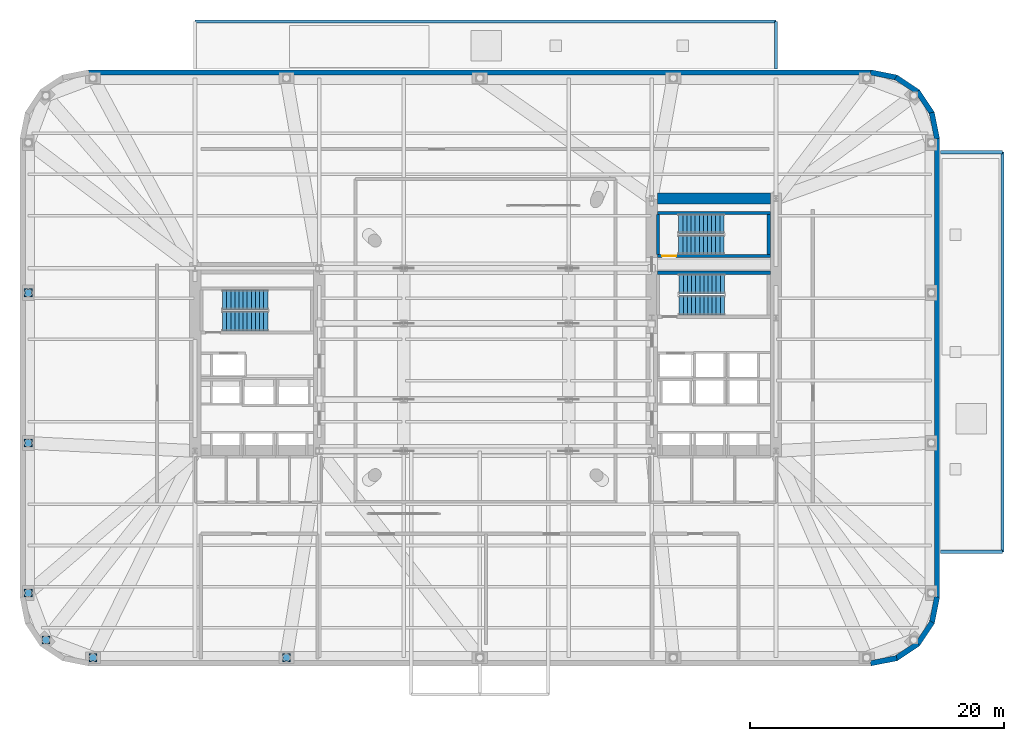
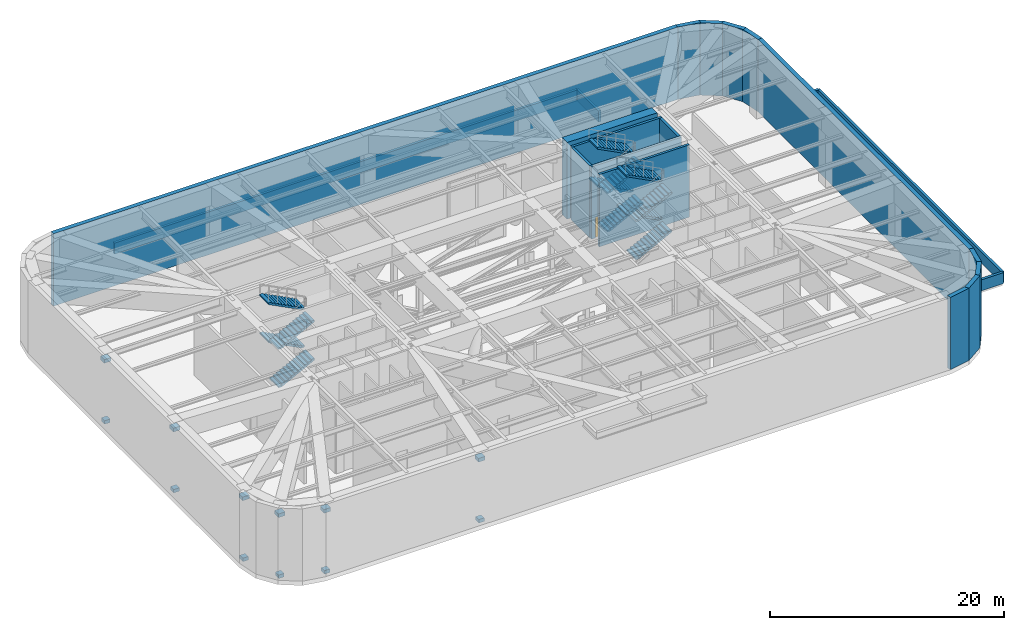
# One storey, part 10 of 15: 21 walls, 12 discrete accessories, 12 stair flights, 1 door, 1 opening, 3 elements without a shape of their own.
"""IFC4 building model written with IfcOpenShell, lengths in metres."""

from ifc_helpers import new_model, si_unit, direction, frame, frame_2d, origin, origin_2d, place, context, subcontext, project, spatial, polyline, rectangle, outline, extrude, material, layer, layer_set, type_object, element, fill, aggregate, save


model = new_model("IFC4")

# Units and contexts
model_context = context("Model", 3, precision=1e-05, world=origin(), true_north=direction((0.0, 1.0)))
body_context = subcontext(model_context, "Body", "Model", "MODEL_VIEW")
ifc_project = project(units=[si_unit("LENGTHUNIT", "METRE"), si_unit("AREAUNIT", "SQUARE_METRE"), si_unit("VOLUMEUNIT", "CUBIC_METRE"), si_unit("PLANEANGLEUNIT", "RADIAN"), si_unit("MASSUNIT", "GRAM", prefix="KILO")], contexts=[model_context])

# Site, building, storey
site_placement = place(None, origin())
site = spatial("IfcSite", under=ifc_project, at=site_placement, CompositionType="ELEMENT")
building_placement = place(site_placement, origin())
building = spatial("IfcBuilding", under=site, at=building_placement, Name="Kolvaren Arena Tower", CompositionType="ELEMENT")
storey_placement = place(building_placement, frame((0.0, 0.0, 34.0)))
storey = spatial("IfcBuildingStorey", under=building, at=storey_placement, Name="L06", CompositionType="ELEMENT", Elevation=34.0)

# Walls
ifc_material_1 = material(Name="Concrete 80 MPa", Category="concrete")
ifc_layer_1 = layer(ifc_material_1, 0.89990234375)
ifc_layer_set_1 = layer_set([ifc_layer_1], Name="Concrete 80 MPa")
wall_type_1 = type_object("IfcWallType", Name="CWALL-900", PredefinedType="SHEAR", material=ifc_layer_set_1)
wall_1_placement = place(storey_placement, frame((51.0, 39.35009765625, -0.449951171875), z_axis=(0.0, 0.0, 1.0), x_axis=(1.0, 0.0, 0.0)))
element("IfcWall", 1, at=wall_1_placement, inside=storey, type_object=wall_type_1, Name="Core Shear Wall EC-NORTH (L06)", PredefinedType="SHEAR", context=body_context, shape_type="SweptSolid", body=[
    extrude(rectangle(XDim=8.89990234375, YDim=0.89990234375, at=frame_2d((4.449951171875, 0.0))), origin(), (0.0, 0.0, 1.0), 8.0),
])
ifc_material_2 = material(Name="Precast concrete C50/60", Category="concrete")
ifc_layer_2 = layer(ifc_material_2, 0.419921875)
ifc_layer_set_2 = layer_set([ifc_layer_2], Name="Precast concrete C50/60")
wall_type_2 = type_object("IfcWallType", Name="EXT-PIER1", PredefinedType="SOLIDWALL", material=ifc_layer_set_2)
for number, where, z_axis, x_axis, name in (
    (2, (69.87548828125, 3.1171875, 0.0), (0.0, 0.0, 1.0), (-0.9807762837, -0.195135546048, 0.0), "Exterior Precast Masonry-Frame Wall (L06)"),
    (3, (71.5517578125, 4.256103515625, 0.0), (0.0, 0.0, 1.0), (-0.831515102434, -0.555502146192, 0.0), "Exterior Precast Masonry-Frame Wall (L06)"),
    (4, (72.664306640625, 5.9501953125, 0.0), (0.0, 0.0, 1.0), (-0.555502146192, -0.831515102434, 0.0), "Exterior Precast Masonry-Frame Wall (L06)"),
    (5, (73.0439453125, 7.94091796875, 0.0), (0.0, 0.0, 1.0), (-0.195135546048, -0.9807762837, 0.0), "Exterior Precast Masonry-Frame Wall (L06)"),
):
    element("IfcWall", number, at=place(storey_placement, frame(where, z_axis=z_axis, x_axis=x_axis)), inside=storey, type_object=wall_type_2, Name=name, PredefinedType="SOLIDWALL", context=body_context, shape_type="SweptSolid", body=[
        extrude(rectangle(XDim=2.10693359375, YDim=0.419921875, at=frame_2d((1.053466796875, 0.0))), origin(), (0.0, 0.0, 1.0), 7.550048828125),
    ])
wall_2_placement = place(storey_placement, frame((73.0400390625, 44.10009765625, 0.0), z_axis=(0.0, 0.0, 1.0), x_axis=(0.0, -1.0, 0.0)))
element("IfcWall", 6, at=wall_2_placement, inside=storey, type_object=wall_type_2, Name="Exterior Precast Masonry-Frame Wall (L06)", PredefinedType="SOLIDWALL", context=body_context, shape_type="SweptSolid", body=[
    extrude(rectangle(XDim=36.2001953125, YDim=0.419921875, at=frame_2d((18.10009765625, 0.0))), origin(), (0.0, 0.0, 1.0), 7.550048828125),
])
for number, where, z_axis, x_axis, name in (
    (7, (72.6328125, 46.12548828125, 0.0), (0.0, 0.0, 1.0), (0.195135546048, -0.9807762837, 0.0), "Exterior Precast Masonry-Frame Wall (L06)"),
    (8, (71.493896484375, 47.8017578125, 0.0), (0.0, 0.0, 1.0), (0.555502146192, -0.831515102434, 0.0), "Exterior Precast Masonry-Frame Wall (L06)"),
    (9, (69.7998046875, 48.914306640625, 0.0), (0.0, 0.0, 1.0), (0.831515102434, -0.555502146192, 0.0), "Exterior Precast Masonry-Frame Wall (L06)"),
    (10, (67.80908203125, 49.2939453125, 0.0), (0.0, 0.0, 1.0), (0.9807762837, -0.195135546048, 0.0), "Exterior Precast Masonry-Frame Wall (L06)"),
):
    element("IfcWall", number, at=place(storey_placement, frame(where, z_axis=z_axis, x_axis=x_axis)), inside=storey, type_object=wall_type_2, Name=name, PredefinedType="SOLIDWALL", context=body_context, shape_type="SweptSolid", body=[
        extrude(rectangle(XDim=2.10693359375, YDim=0.419921875, at=frame_2d((1.053466796875, 0.0))), origin(), (0.0, 0.0, 1.0), 7.550048828125),
    ])
wall_3_placement = place(storey_placement, frame((6.14990234375, 49.2900390625, 0.0), z_axis=(0.0, 0.0, 1.0), x_axis=(1.0, 0.0, 0.0)))
element("IfcWall", 11, at=wall_3_placement, inside=storey, type_object=wall_type_2, Name="Exterior Precast Masonry-Frame Wall (L06)", PredefinedType="SOLIDWALL", context=body_context, shape_type="SweptSolid", body=[
    extrude(rectangle(XDim=61.7001953125, YDim=0.419921875, at=frame_2d((30.85009765625, 0.0))), origin(), (0.0, 0.0, 1.0), 7.550048828125),
])
ifc_material_3 = material(Name="Precast concrete C45/55", Category="concrete")
ifc_layer_3 = layer(ifc_material_3, 0.25)
ifc_layer_set_3 = layer_set([ifc_layer_3], Name="Precast concrete C45/55")
wall_type_3 = type_object("IfcWallType", Name="PARAP-250", PredefinedType="PARAPET", material=ifc_layer_set_3)
wall_4_placement = place(storey_placement, frame((73.300048828125, 11.5, 0.0), z_axis=(0.0, 0.0, 1.0), x_axis=(1.0, 0.0, 0.0)))
element("IfcWall", 12, at=wall_4_placement, inside=storey, type_object=wall_type_3, Name="Podium Low-Roof Maintenance Parapet (East 1)", PredefinedType="PARAPET", context=body_context, shape_type="SweptSolid", body=[
    extrude(rectangle(XDim=4.89990234375, YDim=0.25, at=frame_2d((2.449951171875, 0.0))), origin(), (0.0, 0.0, 1.0), 1.14990234375),
])
wall_5_placement = place(storey_placement, frame((78.199951171875, 11.5, 0.0), z_axis=(0.0, 0.0, 1.0), x_axis=(0.0, 1.0, 0.0)))
element("IfcWall", 13, at=wall_5_placement, inside=storey, type_object=wall_type_3, Name="Podium Low-Roof Maintenance Parapet (East 2)", PredefinedType="PARAPET", context=body_context, shape_type="SweptSolid", body=[
    extrude(rectangle(XDim=31.5, YDim=0.25, at=frame_2d((15.75, 0.0))), origin(), (0.0, 0.0, 1.0), 1.14990234375),
])
wall_6_placement = place(storey_placement, frame((78.199951171875, 43.0, 0.0), z_axis=(0.0, 0.0, 1.0), x_axis=(-1.0, 0.0, 0.0)))
element("IfcWall", 14, at=wall_6_placement, inside=storey, type_object=wall_type_3, Name="Podium Low-Roof Maintenance Parapet (East 3)", PredefinedType="PARAPET", context=body_context, shape_type="SweptSolid", body=[
    extrude(rectangle(XDim=4.89990234375, YDim=0.25, at=frame_2d((2.449951171875, 0.0))), origin(), (0.0, 0.0, 1.0), 1.14990234375),
])
wall_7_placement = place(storey_placement, frame((14.550048828125, 53.300048828125, 0.0), z_axis=(0.0, 0.0, 1.0), x_axis=(1.0, 0.0, 0.0)))
element("IfcWall", 15, at=wall_7_placement, inside=storey, type_object=wall_type_3, Name="Podium Low-Roof Maintenance Parapet (North 2)", PredefinedType="PARAPET", context=body_context, shape_type="SweptSolid", body=[
    extrude(rectangle(XDim=45.800048828125, YDim=0.25, at=frame_2d((22.89990234375, 0.0))), origin(), (0.0, 0.0, 1.0), 1.14990234375),
])
wall_8_placement = place(storey_placement, frame((60.35009765625, 53.300048828125, 0.0), z_axis=(0.0, 0.0, 1.0), x_axis=(0.0, -1.0, 0.0)))
element("IfcWall", 16, at=wall_8_placement, inside=storey, type_object=wall_type_3, Name="Podium Low-Roof Maintenance Parapet (North 3)", PredefinedType="PARAPET", context=body_context, shape_type="SweptSolid", body=[
    extrude(rectangle(XDim=3.75, YDim=0.25, at=frame_2d((1.875, 0.0))), origin(), (0.0, 0.0, 1.0), 1.14990234375),
])
ifc_material_4 = material(Name="Concrete 45 MPa", Category="concrete")
ifc_layer_4 = layer(ifc_material_4, 0.25)
ifc_layer_set_4 = layer_set([ifc_layer_4], Name="Concrete 45 MPa")
wall_type_4 = type_object("IfcWallType", Name="SHAFT-250", PredefinedType="SOLIDWALL", material=ifc_layer_set_4)
wall_9_placement = place(storey_placement, frame((51.0, 33.5, 0.0), z_axis=(0.0, 0.0, 1.0), x_axis=(1.0, 0.0, 0.0)))
element("IfcWall", 17, at=wall_9_placement, inside=storey, type_object=wall_type_4, Name="Core Shaft Wall (L06)", PredefinedType="SOLIDWALL", context=body_context, shape_type="SweptSolid", body=[
    extrude(rectangle(XDim=8.89990234375, YDim=0.239990234375, at=frame_2d((4.449951171875, 0.0))), origin(), (0.0, 0.0, 1.0), 7.550048828125),
])

# Wall, opening, door
wall_10_placement = place(storey_placement, frame((59.89990234375, 34.830078125, 0.0), z_axis=(0.0, 0.0, 1.0), x_axis=(-1.0, 0.0, 0.0)))
wall_10 = element("IfcWall", 18, at=wall_10_placement, inside=storey, type_object=wall_type_4, Name="Core Shaft Wall (L06)", PredefinedType="SOLIDWALL", context=body_context, shape_type="SweptSolid", body=[
    extrude(rectangle(XDim=8.89990234375, YDim=0.239990234375, at=frame_2d((4.449951171875, 0.0))), origin(), (0.0, 0.0, 1.0), 7.550048828125),
])
opening_placement = place(wall_10_placement, frame((7.419921875, 0.0, 0.0)))
opening = element("IfcOpeningElement", 19, at=opening_placement, cuts=wall_10, Name="Opening D03", PredefinedType="OPENING", context=body_context, shape_type="SweptSolid", body=[
    extrude(rectangle(XDim=1.10009765625, YDim=2.14990234375, at=frame_2d((0.550048828125, 1.074951171875))), frame((0.0, 0.1298828125, 0.0), z_axis=(0.0, -1.0, 0.0), x_axis=(1.0, 0.0, 0.0)), (0.0, 0.0, 1.0), 0.260009765625),
])
ifc_material_5 = material(Name="Fire-rated steel exit stair door", Category="steel")
door_type = type_object("IfcDoorType", Name="DOOR-ST-110", OperationType="NOTDEFINED", PredefinedType="DOOR", material=ifc_material_5)
door_placement = place(opening_placement, origin())
door = element("IfcDoor", 20, at=door_placement, inside=storey, type_object=door_type, Name="Stair ST-E2 Fire Door (L06)", OperationType="SINGLE_SWING_LEFT", OverallHeight=2.14990234375, OverallWidth=1.10009765625, PredefinedType="DOOR", context=body_context, shape_type="SweptSolid", body=[
    extrude(rectangle(XDim=1.10009765625, YDim=2.14990234375, at=frame_2d((0.550048828125, 1.074951171875))), frame((0.0, 0.02490234375, 0.0), z_axis=(0.0, -1.0, 0.0), x_axis=(1.0, 0.0, 0.0)), (0.0, 0.0, 1.0), 0.050048828125),
])
fill(opening, door)

# Walls
wall_11_placement = place(storey_placement, frame((51.0, 38.219970703125, 0.0), z_axis=(0.0, 0.0, 1.0), x_axis=(1.0, 0.0, 0.0)))
element("IfcWall", 21, at=wall_11_placement, inside=storey, type_object=wall_type_4, Name="Core Shaft Wall (L06)", PredefinedType="SOLIDWALL", context=body_context, shape_type="SweptSolid", body=[
    extrude(rectangle(XDim=8.89990234375, YDim=0.239990234375, at=frame_2d((4.449951171875, 0.0))), origin(), (0.0, 0.0, 1.0), 7.550048828125),
])
for number, where, z_axis, x_axis, name in (
    (22, (51.06005859375, 34.949951171875, 0.0), (0.0, 0.0, 1.0), (0.0, 1.0, 0.0), "Core Shaft Wall (L06)"),
    (23, (59.780029296875, 34.949951171875, 0.0), (0.0, 0.0, 1.0), (0.0, 1.0, 0.0), "Core Shaft Wall (L06)"),
):
    element("IfcWall", number, at=place(storey_placement, frame(where, z_axis=z_axis, x_axis=x_axis)), inside=storey, type_object=wall_type_4, Name=name, PredefinedType="SOLIDWALL", context=body_context, shape_type="SweptSolid", body=[
        extrude(rectangle(XDim=3.150146484375, YDim=0.239990234375, at=frame_2d((1.5751953125, 0.0))), origin(), (0.0, 0.0, 1.0), 7.550048828125),
    ])

# Stair, stair flights
stair_type_1 = type_object("IfcStairType", Name="STAIR-CORE-150", PredefinedType="HALF_TURN_STAIR", material=ifc_material_4)
stair_1_placement = place(storey_placement, origin())
stair_1 = element("IfcStair", 24, at=stair_1_placement, inside=storey, type_object=stair_type_1, Name="L06 ST-E2", PredefinedType="HALF_TURN_STAIR")
stair_flight_type_1 = type_object("IfcStairFlightType", Name="FLT-150", PredefinedType="STRAIGHT", material=ifc_material_4)
stair_flight_1_placement = place(storey_placement, frame((52.679931640625, 35.699951171875, 0.0), z_axis=(0.0, 0.0, 1.0), x_axis=(1.0, 0.0, 0.0)))
stair_flight_1 = element("IfcStairFlight", 25, at=stair_flight_1_placement, type_object=stair_flight_type_1, Name="ST-E2 flight 1", NumberOfRisers=12, NumberOfTreads=11, PredefinedType="STRAIGHT", RiserHeight=0.166666667, TreadLength=0.324, context=body_context, shape_type="SweptSolid", body=[
    extrude(outline(polyline([(0.0, 0.0), (0.0, 0.166748046875), (0.323974609375, 0.166748046875), (0.323974609375, 0.333251953125), (0.64794921875, 0.333251953125), (0.64794921875, 0.5), (0.971923828125, 0.5), (0.971923828125, 0.666748046875), (1.2958984375, 0.666748046875), (1.2958984375, 0.833251953125), (1.6201171875, 0.833251953125), (1.6201171875, 1.0), (1.944091796875, 1.0), (1.944091796875, 1.166748046875), (2.26806640625, 1.166748046875), (2.26806640625, 1.333251953125), (2.592041015625, 1.333251953125), (2.592041015625, 1.5), (2.916015625, 1.5), (2.916015625, 1.666748046875), (3.239990234375, 1.666748046875), (3.239990234375, 1.833251953125), (3.56396484375, 1.833251953125), (3.56396484375, 2.0), (3.56396484375, 1.664794921875), (0.32763671875, 0.0), (0.0, 0.0)])), frame((0.0, 0.75, 0.0), z_axis=(0.0, -1.0, 0.0), x_axis=(1.0, 0.0, 0.0)), (0.0, 0.0, 1.0), 1.5),
])
stair_flight_2_placement = place(storey_placement, frame((56.243896484375, 37.35009765625, 2.0), z_axis=(0.0, 0.0, 1.0), x_axis=(-1.0, 0.0, 0.0)))
stair_flight_2 = element("IfcStairFlight", 26, at=stair_flight_2_placement, type_object=stair_flight_type_1, Name="ST-E2 flight 2", NumberOfRisers=12, NumberOfTreads=11, PredefinedType="STRAIGHT", RiserHeight=0.166666667, TreadLength=0.324, context=body_context, shape_type="SweptSolid", body=[
    extrude(outline(polyline([(0.0, 0.0), (0.0, 0.166748046875), (0.323974609375, 0.166748046875), (0.323974609375, 0.333251953125), (0.64794921875, 0.333251953125), (0.64794921875, 0.5), (0.971923828125, 0.5), (0.971923828125, 0.666748046875), (1.2958984375, 0.666748046875), (1.2958984375, 0.833251953125), (1.6201171875, 0.833251953125), (1.6201171875, 1.0), (1.944091796875, 1.0), (1.944091796875, 1.166748046875), (2.26806640625, 1.166748046875), (2.26806640625, 1.333251953125), (2.592041015625, 1.333251953125), (2.592041015625, 1.5), (2.916015625, 1.5), (2.916015625, 1.666748046875), (3.239990234375, 1.666748046875), (3.239990234375, 1.833251953125), (3.56396484375, 1.833251953125), (3.56396484375, 2.0), (3.56396484375, 1.664794921875), (0.32763671875, 0.0), (0.0, 0.0)])), frame((0.0, 0.75, 0.0), z_axis=(0.0, -1.0, 0.0), x_axis=(1.0, 0.0, 0.0)), (0.0, 0.0, 1.0), 1.5),
])
stair_flight_3_placement = place(storey_placement, frame((52.679931640625, 35.699951171875, 4.0), z_axis=(0.0, 0.0, 1.0), x_axis=(1.0, 0.0, 0.0)))
stair_flight_3 = element("IfcStairFlight", 27, at=stair_flight_3_placement, type_object=stair_flight_type_1, Name="ST-E2 flight 3", NumberOfRisers=12, NumberOfTreads=11, PredefinedType="STRAIGHT", RiserHeight=0.166666667, TreadLength=0.324, context=body_context, shape_type="SweptSolid", body=[
    extrude(outline(polyline([(0.0, 0.0), (0.0, 0.166748046875), (0.323974609375, 0.166748046875), (0.323974609375, 0.333251953125), (0.64794921875, 0.333251953125), (0.64794921875, 0.5), (0.971923828125, 0.5), (0.971923828125, 0.666748046875), (1.2958984375, 0.666748046875), (1.2958984375, 0.833251953125), (1.6201171875, 0.833251953125), (1.6201171875, 1.0), (1.944091796875, 1.0), (1.944091796875, 1.166748046875), (2.26806640625, 1.166748046875), (2.26806640625, 1.333251953125), (2.592041015625, 1.333251953125), (2.592041015625, 1.5), (2.916015625, 1.5), (2.916015625, 1.666748046875), (3.239990234375, 1.666748046875), (3.239990234375, 1.833251953125), (3.56396484375, 1.833251953125), (3.56396484375, 2.0), (3.56396484375, 1.664794921875), (0.32763671875, 0.0), (0.0, 0.0)])), frame((0.0, 0.75, 0.0), z_axis=(0.0, -1.0, 0.0), x_axis=(1.0, 0.0, 0.0)), (0.0, 0.0, 1.0), 1.5),
])
stair_flight_4_placement = place(storey_placement, frame((56.243896484375, 37.35009765625, 6.0), z_axis=(0.0, 0.0, 1.0), x_axis=(-1.0, 0.0, 0.0)))
stair_flight_4 = element("IfcStairFlight", 28, at=stair_flight_4_placement, type_object=stair_flight_type_1, Name="ST-E2 flight 4", NumberOfRisers=12, NumberOfTreads=11, PredefinedType="STRAIGHT", RiserHeight=0.166666667, TreadLength=0.324, context=body_context, shape_type="SweptSolid", body=[
    extrude(outline(polyline([(0.0, 0.0), (0.0, 0.166748046875), (0.323974609375, 0.166748046875), (0.323974609375, 0.333251953125), (0.64794921875, 0.333251953125), (0.64794921875, 0.5), (0.971923828125, 0.5), (0.971923828125, 0.666748046875), (1.2958984375, 0.666748046875), (1.2958984375, 0.833251953125), (1.6201171875, 0.833251953125), (1.6201171875, 1.0), (1.944091796875, 1.0), (1.944091796875, 1.166748046875), (2.26806640625, 1.166748046875), (2.26806640625, 1.333251953125), (2.592041015625, 1.333251953125), (2.592041015625, 1.5), (2.916015625, 1.5), (2.916015625, 1.666748046875), (3.239990234375, 1.666748046875), (3.239990234375, 1.833251953125), (3.56396484375, 1.833251953125), (3.56396484375, 2.0), (3.56396484375, 1.664794921875), (0.32763671875, 0.0), (0.0, 0.0)])), frame((0.0, 0.75, 0.0), z_axis=(0.0, -1.0, 0.0), x_axis=(1.0, 0.0, 0.0)), (0.0, 0.0, 1.0), 1.5),
])
aggregate(stair_1, [stair_flight_1, stair_flight_2, stair_flight_3, stair_flight_4])

stair_type_2 = type_object("IfcStairType", Name="STAIR-CORE-165", PredefinedType="HALF_TURN_STAIR", material=ifc_material_4)
stair_2_placement = place(storey_placement, origin())
stair_2 = element("IfcStair", 29, at=stair_2_placement, inside=storey, type_object=stair_type_2, Name="L06 ST-W1", PredefinedType="HALF_TURN_STAIR")
stair_flight_type_2 = type_object("IfcStairFlightType", Name="FLT-165", PredefinedType="STRAIGHT", material=ifc_material_4)
stair_flight_5_placement = place(storey_placement, frame((16.719970703125, 29.669921875, 0.0), z_axis=(0.0, 0.0, 1.0), x_axis=(1.0, 0.0, 0.0)))
stair_flight_5 = element("IfcStairFlight", 30, at=stair_flight_5_placement, type_object=stair_flight_type_2, Name="ST-W1 flight 1", NumberOfRisers=12, NumberOfTreads=11, PredefinedType="STRAIGHT", RiserHeight=0.166666667, TreadLength=0.324, context=body_context, shape_type="SweptSolid", body=[
    extrude(outline(polyline([(0.0, 0.0), (0.0, 0.166748046875), (0.323974609375, 0.166748046875), (0.323974609375, 0.333251953125), (0.64794921875, 0.333251953125), (0.64794921875, 0.5), (0.971923828125, 0.5), (0.971923828125, 0.666748046875), (1.2958984375, 0.666748046875), (1.2958984375, 0.833251953125), (1.6201171875, 0.833251953125), (1.6201171875, 1.0), (1.944091796875, 1.0), (1.944091796875, 1.166748046875), (2.26806640625, 1.166748046875), (2.26806640625, 1.333251953125), (2.592041015625, 1.333251953125), (2.592041015625, 1.5), (2.916015625, 1.5), (2.916015625, 1.666748046875), (3.239990234375, 1.666748046875), (3.239990234375, 1.833251953125), (3.56396484375, 1.833251953125), (3.56396484375, 2.0), (3.56396484375, 1.664794921875), (0.32763671875, 0.0), (0.0, 0.0)])), frame((0.0, 0.77001953125, 0.0), z_axis=(0.0, -1.0, 0.0), x_axis=(1.0, 0.0, 0.0)), (0.0, 0.0, 1.0), 1.5400390625),
])
stair_flight_6_placement = place(storey_placement, frame((20.283935546875, 31.360107421875, 2.0), z_axis=(0.0, 0.0, 1.0), x_axis=(-1.0, 0.0, 0.0)))
stair_flight_6 = element("IfcStairFlight", 31, at=stair_flight_6_placement, type_object=stair_flight_type_2, Name="ST-W1 flight 2", NumberOfRisers=12, NumberOfTreads=11, PredefinedType="STRAIGHT", RiserHeight=0.166666667, TreadLength=0.324, context=body_context, shape_type="SweptSolid", body=[
    extrude(outline(polyline([(0.0, 0.0), (0.0, 0.166748046875), (0.323974609375, 0.166748046875), (0.323974609375, 0.333251953125), (0.64794921875, 0.333251953125), (0.64794921875, 0.5), (0.971923828125, 0.5), (0.971923828125, 0.666748046875), (1.2958984375, 0.666748046875), (1.2958984375, 0.833251953125), (1.6201171875, 0.833251953125), (1.6201171875, 1.0), (1.944091796875, 1.0), (1.944091796875, 1.166748046875), (2.26806640625, 1.166748046875), (2.26806640625, 1.333251953125), (2.592041015625, 1.333251953125), (2.592041015625, 1.5), (2.916015625, 1.5), (2.916015625, 1.666748046875), (3.239990234375, 1.666748046875), (3.239990234375, 1.833251953125), (3.56396484375, 1.833251953125), (3.56396484375, 2.0), (3.56396484375, 1.664794921875), (0.32763671875, 0.0), (0.0, 0.0)])), frame((0.0, 0.77001953125, 0.0), z_axis=(0.0, -1.0, 0.0), x_axis=(1.0, 0.0, 0.0)), (0.0, 0.0, 1.0), 1.5400390625),
])
stair_flight_7_placement = place(storey_placement, frame((16.719970703125, 29.669921875, 4.0), z_axis=(0.0, 0.0, 1.0), x_axis=(1.0, 0.0, 0.0)))
stair_flight_7 = element("IfcStairFlight", 32, at=stair_flight_7_placement, type_object=stair_flight_type_2, Name="ST-W1 flight 3", NumberOfRisers=12, NumberOfTreads=11, PredefinedType="STRAIGHT", RiserHeight=0.166666667, TreadLength=0.324, context=body_context, shape_type="SweptSolid", body=[
    extrude(outline(polyline([(0.0, 0.0), (0.0, 0.166748046875), (0.323974609375, 0.166748046875), (0.323974609375, 0.333251953125), (0.64794921875, 0.333251953125), (0.64794921875, 0.5), (0.971923828125, 0.5), (0.971923828125, 0.666748046875), (1.2958984375, 0.666748046875), (1.2958984375, 0.833251953125), (1.6201171875, 0.833251953125), (1.6201171875, 1.0), (1.944091796875, 1.0), (1.944091796875, 1.166748046875), (2.26806640625, 1.166748046875), (2.26806640625, 1.333251953125), (2.592041015625, 1.333251953125), (2.592041015625, 1.5), (2.916015625, 1.5), (2.916015625, 1.666748046875), (3.239990234375, 1.666748046875), (3.239990234375, 1.833251953125), (3.56396484375, 1.833251953125), (3.56396484375, 2.0), (3.56396484375, 1.664794921875), (0.32763671875, 0.0), (0.0, 0.0)])), frame((0.0, 0.77001953125, 0.0), z_axis=(0.0, -1.0, 0.0), x_axis=(1.0, 0.0, 0.0)), (0.0, 0.0, 1.0), 1.5400390625),
])
stair_flight_8_placement = place(storey_placement, frame((20.283935546875, 31.360107421875, 6.0), z_axis=(0.0, 0.0, 1.0), x_axis=(-1.0, 0.0, 0.0)))
stair_flight_8 = element("IfcStairFlight", 33, at=stair_flight_8_placement, type_object=stair_flight_type_2, Name="ST-W1 flight 4", NumberOfRisers=12, NumberOfTreads=11, PredefinedType="STRAIGHT", RiserHeight=0.166666667, TreadLength=0.324, context=body_context, shape_type="SweptSolid", body=[
    extrude(outline(polyline([(0.0, 0.0), (0.0, 0.166748046875), (0.323974609375, 0.166748046875), (0.323974609375, 0.333251953125), (0.64794921875, 0.333251953125), (0.64794921875, 0.5), (0.971923828125, 0.5), (0.971923828125, 0.666748046875), (1.2958984375, 0.666748046875), (1.2958984375, 0.833251953125), (1.6201171875, 0.833251953125), (1.6201171875, 1.0), (1.944091796875, 1.0), (1.944091796875, 1.166748046875), (2.26806640625, 1.166748046875), (2.26806640625, 1.333251953125), (2.592041015625, 1.333251953125), (2.592041015625, 1.5), (2.916015625, 1.5), (2.916015625, 1.666748046875), (3.239990234375, 1.666748046875), (3.239990234375, 1.833251953125), (3.56396484375, 1.833251953125), (3.56396484375, 2.0), (3.56396484375, 1.664794921875), (0.32763671875, 0.0), (0.0, 0.0)])), frame((0.0, 0.77001953125, 0.0), z_axis=(0.0, -1.0, 0.0), x_axis=(1.0, 0.0, 0.0)), (0.0, 0.0, 1.0), 1.5400390625),
])
aggregate(stair_2, [stair_flight_5, stair_flight_6, stair_flight_7, stair_flight_8])

stair_3_placement = place(storey_placement, origin())
stair_3 = element("IfcStair", 34, at=stair_3_placement, inside=storey, type_object=stair_type_2, Name="L06 ST-E1", PredefinedType="HALF_TURN_STAIR")
stair_flight_9_placement = place(storey_placement, frame((52.719970703125, 30.919921875, 0.0), z_axis=(0.0, 0.0, 1.0), x_axis=(1.0, 0.0, 0.0)))
stair_flight_9 = element("IfcStairFlight", 35, at=stair_flight_9_placement, type_object=stair_flight_type_2, Name="ST-E1 flight 1", NumberOfRisers=12, NumberOfTreads=11, PredefinedType="STRAIGHT", RiserHeight=0.166666667, TreadLength=0.324, context=body_context, shape_type="SweptSolid", body=[
    extrude(outline(polyline([(0.0, 0.0), (0.0, 0.166748046875), (0.323974609375, 0.166748046875), (0.323974609375, 0.333251953125), (0.64794921875, 0.333251953125), (0.64794921875, 0.5), (0.971923828125, 0.5), (0.971923828125, 0.666748046875), (1.2958984375, 0.666748046875), (1.2958984375, 0.833251953125), (1.6201171875, 0.833251953125), (1.6201171875, 1.0), (1.944091796875, 1.0), (1.944091796875, 1.166748046875), (2.26806640625, 1.166748046875), (2.26806640625, 1.333251953125), (2.592041015625, 1.333251953125), (2.592041015625, 1.5), (2.916015625, 1.5), (2.916015625, 1.666748046875), (3.239990234375, 1.666748046875), (3.239990234375, 1.833251953125), (3.56396484375, 1.833251953125), (3.56396484375, 2.0), (3.56396484375, 1.664794921875), (0.32763671875, 0.0), (0.0, 0.0)])), frame((0.0, 0.77001953125, 0.0), z_axis=(0.0, -1.0, 0.0), x_axis=(1.0, 0.0, 0.0)), (0.0, 0.0, 1.0), 1.5400390625),
])
stair_flight_10_placement = place(storey_placement, frame((56.283935546875, 32.610107421875, 2.0), z_axis=(0.0, 0.0, 1.0), x_axis=(-1.0, 0.0, 0.0)))
stair_flight_10 = element("IfcStairFlight", 36, at=stair_flight_10_placement, type_object=stair_flight_type_2, Name="ST-E1 flight 2", NumberOfRisers=12, NumberOfTreads=11, PredefinedType="STRAIGHT", RiserHeight=0.166666667, TreadLength=0.324, context=body_context, shape_type="SweptSolid", body=[
    extrude(outline(polyline([(0.0, 0.0), (0.0, 0.166748046875), (0.323974609375, 0.166748046875), (0.323974609375, 0.333251953125), (0.64794921875, 0.333251953125), (0.64794921875, 0.5), (0.971923828125, 0.5), (0.971923828125, 0.666748046875), (1.2958984375, 0.666748046875), (1.2958984375, 0.833251953125), (1.6201171875, 0.833251953125), (1.6201171875, 1.0), (1.944091796875, 1.0), (1.944091796875, 1.166748046875), (2.26806640625, 1.166748046875), (2.26806640625, 1.333251953125), (2.592041015625, 1.333251953125), (2.592041015625, 1.5), (2.916015625, 1.5), (2.916015625, 1.666748046875), (3.239990234375, 1.666748046875), (3.239990234375, 1.833251953125), (3.56396484375, 1.833251953125), (3.56396484375, 2.0), (3.56396484375, 1.664794921875), (0.32763671875, 0.0), (0.0, 0.0)])), frame((0.0, 0.77001953125, 0.0), z_axis=(0.0, -1.0, 0.0), x_axis=(1.0, 0.0, 0.0)), (0.0, 0.0, 1.0), 1.5400390625),
])
stair_flight_11_placement = place(storey_placement, frame((52.719970703125, 30.919921875, 4.0), z_axis=(0.0, 0.0, 1.0), x_axis=(1.0, 0.0, 0.0)))
stair_flight_11 = element("IfcStairFlight", 37, at=stair_flight_11_placement, type_object=stair_flight_type_2, Name="ST-E1 flight 3", NumberOfRisers=12, NumberOfTreads=11, PredefinedType="STRAIGHT", RiserHeight=0.166666667, TreadLength=0.324, context=body_context, shape_type="SweptSolid", body=[
    extrude(outline(polyline([(0.0, 0.0), (0.0, 0.166748046875), (0.323974609375, 0.166748046875), (0.323974609375, 0.333251953125), (0.64794921875, 0.333251953125), (0.64794921875, 0.5), (0.971923828125, 0.5), (0.971923828125, 0.666748046875), (1.2958984375, 0.666748046875), (1.2958984375, 0.833251953125), (1.6201171875, 0.833251953125), (1.6201171875, 1.0), (1.944091796875, 1.0), (1.944091796875, 1.166748046875), (2.26806640625, 1.166748046875), (2.26806640625, 1.333251953125), (2.592041015625, 1.333251953125), (2.592041015625, 1.5), (2.916015625, 1.5), (2.916015625, 1.666748046875), (3.239990234375, 1.666748046875), (3.239990234375, 1.833251953125), (3.56396484375, 1.833251953125), (3.56396484375, 2.0), (3.56396484375, 1.664794921875), (0.32763671875, 0.0), (0.0, 0.0)])), frame((0.0, 0.77001953125, 0.0), z_axis=(0.0, -1.0, 0.0), x_axis=(1.0, 0.0, 0.0)), (0.0, 0.0, 1.0), 1.5400390625),
])
stair_flight_12_placement = place(storey_placement, frame((56.283935546875, 32.610107421875, 6.0), z_axis=(0.0, 0.0, 1.0), x_axis=(-1.0, 0.0, 0.0)))
stair_flight_12 = element("IfcStairFlight", 38, at=stair_flight_12_placement, type_object=stair_flight_type_2, Name="ST-E1 flight 4", NumberOfRisers=12, NumberOfTreads=11, PredefinedType="STRAIGHT", RiserHeight=0.166666667, TreadLength=0.324, context=body_context, shape_type="SweptSolid", body=[
    extrude(outline(polyline([(0.0, 0.0), (0.0, 0.166748046875), (0.323974609375, 0.166748046875), (0.323974609375, 0.333251953125), (0.64794921875, 0.333251953125), (0.64794921875, 0.5), (0.971923828125, 0.5), (0.971923828125, 0.666748046875), (1.2958984375, 0.666748046875), (1.2958984375, 0.833251953125), (1.6201171875, 0.833251953125), (1.6201171875, 1.0), (1.944091796875, 1.0), (1.944091796875, 1.166748046875), (2.26806640625, 1.166748046875), (2.26806640625, 1.333251953125), (2.592041015625, 1.333251953125), (2.592041015625, 1.5), (2.916015625, 1.5), (2.916015625, 1.666748046875), (3.239990234375, 1.666748046875), (3.239990234375, 1.833251953125), (3.56396484375, 1.833251953125), (3.56396484375, 2.0), (3.56396484375, 1.664794921875), (0.32763671875, 0.0), (0.0, 0.0)])), frame((0.0, 0.77001953125, 0.0), z_axis=(0.0, -1.0, 0.0), x_axis=(1.0, 0.0, 0.0)), (0.0, 0.0, 1.0), 1.5400390625),
])
aggregate(stair_3, [stair_flight_9, stair_flight_10, stair_flight_11, stair_flight_12])

# Discrete accessories
ifc_material_6 = material(Name="Steel CSA G40.21 350W bolted gusset connection", Category="steel")
discrete_accessory_type = type_object("IfcDiscreteAccessoryType", Name="ACC-CONN-1", PredefinedType="BRACKET", material=ifc_material_6)
discrete_accessory_1_placement = place(storey_placement, frame((6.5, 3.14990234375, 0.0), z_axis=(0.0, 0.0, 1.0), x_axis=(1.0, 0.0, 0.0)))
element("IfcDiscreteAccessory", 39, at=discrete_accessory_1_placement, inside=storey, type_object=discrete_accessory_type, Name="Exoskeleton Strut Foot Connection 01 (L06)", PredefinedType="BRACKET", context=body_context, shape_type="SweptSolid", body=[
    extrude(rectangle(XDim=0.550048828125, YDim=0.550048828125, at=origin_2d()), origin(), (0.0, 0.0, 1.0), 0.360107421875),
])
discrete_accessory_2_placement = place(storey_placement, frame((6.5, 3.14990234375, 6.41015625), z_axis=(0.0, 0.0, 1.0), x_axis=(1.0, 0.0, 0.0)))
element("IfcDiscreteAccessory", 40, at=discrete_accessory_2_placement, inside=storey, type_object=discrete_accessory_type, Name="Exoskeleton Strut Head Connection 01 (L06)", PredefinedType="BRACKET", context=body_context, shape_type="SweptSolid", body=[
    extrude(rectangle(XDim=0.64990234375, YDim=0.64990234375, at=origin_2d()), origin(), (0.0, 0.0, 1.0), 0.3798828125),
])
discrete_accessory_3_placement = place(storey_placement, frame((21.75, 3.14990234375, 0.0), z_axis=(0.0, 0.0, 1.0), x_axis=(1.0, 0.0, 0.0)))
element("IfcDiscreteAccessory", 41, at=discrete_accessory_3_placement, inside=storey, type_object=discrete_accessory_type, Name="Exoskeleton Strut Foot Connection 02 (L06)", PredefinedType="BRACKET", context=body_context, shape_type="SweptSolid", body=[
    extrude(rectangle(XDim=0.550048828125, YDim=0.550048828125, at=origin_2d()), origin(), (0.0, 0.0, 1.0), 0.360107421875),
])
discrete_accessory_4_placement = place(storey_placement, frame((21.75, 3.14990234375, 6.41015625), z_axis=(0.0, 0.0, 1.0), x_axis=(1.0, 0.0, 0.0)))
element("IfcDiscreteAccessory", 42, at=discrete_accessory_4_placement, inside=storey, type_object=discrete_accessory_type, Name="Exoskeleton Strut Head Connection 02 (L06)", PredefinedType="BRACKET", context=body_context, shape_type="SweptSolid", body=[
    extrude(rectangle(XDim=0.64990234375, YDim=0.64990234375, at=origin_2d()), origin(), (0.0, 0.0, 1.0), 0.3798828125),
])
discrete_accessory_5_placement = place(storey_placement, frame((1.39990234375, 31.916748046875, 0.0), z_axis=(0.0, 0.0, 1.0), x_axis=(1.0, 0.0, 0.0)))
element("IfcDiscreteAccessory", 43, at=discrete_accessory_5_placement, inside=storey, type_object=discrete_accessory_type, Name="Exoskeleton Strut Foot Connection 19 (L06)", PredefinedType="BRACKET", context=body_context, shape_type="SweptSolid", body=[
    extrude(rectangle(XDim=0.550048828125, YDim=0.550048828125, at=origin_2d()), origin(), (0.0, 0.0, 1.0), 0.360107421875),
])
discrete_accessory_6_placement = place(storey_placement, frame((1.39990234375, 31.916748046875, 6.41015625), z_axis=(0.0, 0.0, 1.0), x_axis=(1.0, 0.0, 0.0)))
element("IfcDiscreteAccessory", 44, at=discrete_accessory_6_placement, inside=storey, type_object=discrete_accessory_type, Name="Exoskeleton Strut Head Connection 19 (L06)", PredefinedType="BRACKET", context=body_context, shape_type="SweptSolid", body=[
    extrude(rectangle(XDim=0.64990234375, YDim=0.64990234375, at=origin_2d()), origin(), (0.0, 0.0, 1.0), 0.3798828125),
])
discrete_accessory_7_placement = place(storey_placement, frame((1.39990234375, 20.083251953125, 0.0), z_axis=(0.0, 0.0, 1.0), x_axis=(1.0, 0.0, 0.0)))
element("IfcDiscreteAccessory", 45, at=discrete_accessory_7_placement, inside=storey, type_object=discrete_accessory_type, Name="Exoskeleton Strut Foot Connection 20 (L06)", PredefinedType="BRACKET", context=body_context, shape_type="SweptSolid", body=[
    extrude(rectangle(XDim=0.550048828125, YDim=0.550048828125, at=origin_2d()), origin(), (0.0, 0.0, 1.0), 0.360107421875),
])
discrete_accessory_8_placement = place(storey_placement, frame((1.39990234375, 20.083251953125, 6.41015625), z_axis=(0.0, 0.0, 1.0), x_axis=(1.0, 0.0, 0.0)))
element("IfcDiscreteAccessory", 46, at=discrete_accessory_8_placement, inside=storey, type_object=discrete_accessory_type, Name="Exoskeleton Strut Head Connection 20 (L06)", PredefinedType="BRACKET", context=body_context, shape_type="SweptSolid", body=[
    extrude(rectangle(XDim=0.64990234375, YDim=0.64990234375, at=origin_2d()), origin(), (0.0, 0.0, 1.0), 0.3798828125),
])
discrete_accessory_9_placement = place(storey_placement, frame((1.39990234375, 8.25, 0.0), z_axis=(0.0, 0.0, 1.0), x_axis=(1.0, 0.0, 0.0)))
element("IfcDiscreteAccessory", 47, at=discrete_accessory_9_placement, inside=storey, type_object=discrete_accessory_type, Name="Exoskeleton Strut Foot Connection 21 (L06)", PredefinedType="BRACKET", context=body_context, shape_type="SweptSolid", body=[
    extrude(rectangle(XDim=0.550048828125, YDim=0.550048828125, at=origin_2d()), origin(), (0.0, 0.0, 1.0), 0.360107421875),
])
discrete_accessory_10_placement = place(storey_placement, frame((1.39990234375, 8.25, 6.41015625), z_axis=(0.0, 0.0, 1.0), x_axis=(1.0, 0.0, 0.0)))
element("IfcDiscreteAccessory", 48, at=discrete_accessory_10_placement, inside=storey, type_object=discrete_accessory_type, Name="Exoskeleton Strut Head Connection 21 (L06)", PredefinedType="BRACKET", context=body_context, shape_type="SweptSolid", body=[
    extrude(rectangle(XDim=0.64990234375, YDim=0.64990234375, at=origin_2d()), origin(), (0.0, 0.0, 1.0), 0.3798828125),
])
discrete_accessory_11_placement = place(storey_placement, frame((2.791259765625, 4.541259765625, 0.0), z_axis=(0.0, 0.0, 1.0), x_axis=(1.0, 0.0, 0.0)))
element("IfcDiscreteAccessory", 49, at=discrete_accessory_11_placement, inside=storey, type_object=discrete_accessory_type, Name="Exoskeleton Strut Foot Connection 22 (L06)", PredefinedType="BRACKET", context=body_context, shape_type="SweptSolid", body=[
    extrude(rectangle(XDim=0.550048828125, YDim=0.550048828125, at=origin_2d()), origin(), (0.0, 0.0, 1.0), 0.360107421875),
])
discrete_accessory_12_placement = place(storey_placement, frame((2.791259765625, 4.541259765625, 6.41015625), z_axis=(0.0, 0.0, 1.0), x_axis=(1.0, 0.0, 0.0)))
element("IfcDiscreteAccessory", 50, at=discrete_accessory_12_placement, inside=storey, type_object=discrete_accessory_type, Name="Exoskeleton Strut Head Connection 22 (L06)", PredefinedType="BRACKET", context=body_context, shape_type="SweptSolid", body=[
    extrude(rectangle(XDim=0.64990234375, YDim=0.64990234375, at=origin_2d()), origin(), (0.0, 0.0, 1.0), 0.3798828125),
])

save(model, "model.ifc")
